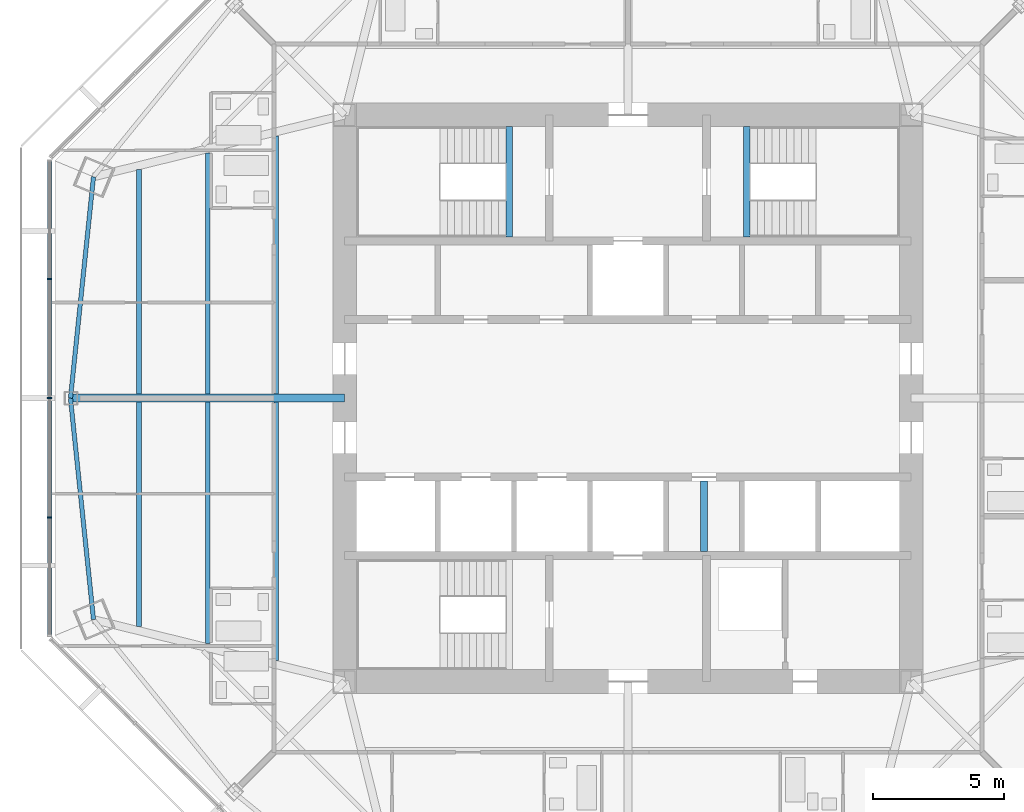
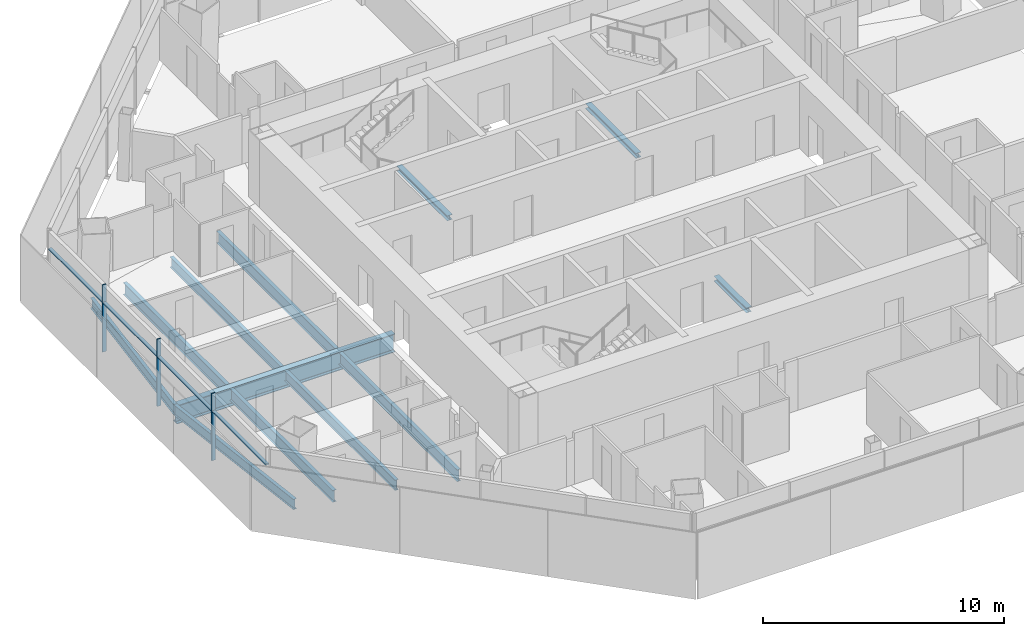
# One storey, part 3 of 15: 12 beams, 7 members, 1 element without a shape of its own.
"""IFC4 building model written with IfcOpenShell, lengths in metres."""

from ifc_helpers import new_model, si_unit, direction, frame, origin, origin_2d, place, context, subcontext, project, spatial, rectangle, i_section, extrude, source, transform, mapped, material, material_profile, profile_set, type_object, type_shapes, element, aggregate, save


model = new_model("IFC4")

# Units and contexts
model_context = context("Model", 3, precision=1e-05, world=origin(), true_north=direction((0.0, 1.0)))
body_context = subcontext(model_context, "Body", "Model", "MODEL_VIEW")
ifc_project = project(units=[si_unit("LENGTHUNIT", "METRE"), si_unit("AREAUNIT", "SQUARE_METRE"), si_unit("VOLUMEUNIT", "CUBIC_METRE"), si_unit("PLANEANGLEUNIT", "RADIAN"), si_unit("MASSUNIT", "GRAM", prefix="KILO")], contexts=[model_context])

# Site, building, storey
site_placement = place(None, origin())
site = spatial("IfcSite", under=ifc_project, at=site_placement, CompositionType="ELEMENT")
building_placement = place(site_placement, origin())
building = spatial("IfcBuilding", under=site, at=building_placement, Name="Mashrafa Tower", CompositionType="ELEMENT")
storey_placement = place(building_placement, frame((0.0, 0.0, 210.800048828125)))
storey = spatial("IfcBuildingStorey", under=building, at=storey_placement, Name="L48", CompositionType="ELEMENT", Elevation=210.800048828125)

# Beams
ifc_material_1 = material(Name="Steel ASTM A992", Category="steel")
ifc_material_profile_1 = material_profile(ifc_material_1, i_section(OverallWidth=0.1650390625, OverallDepth=0.52587890625, WebThickness=0.0087890625, FlangeThickness=0.011474609375, FilletRadius=0.0126953125, at=origin_2d()), Name="W21X44")
ifc_profile_set_1 = profile_set([ifc_material_profile_1], Name="Steel ASTM A992")
beam_type_1 = type_object("IfcBeamType", Name="Beam W21X44", PredefinedType="BEAM", material=ifc_profile_set_1)
for number, where, z_axis, x_axis, name in (
    (1, (-16.028564453125, -9.35546875, -0.462890625), (0.0, 1.0, 0.0), (-1.0, 0.0, 0.0), "Floor beam L48 004"),
    (2, (-16.028564453125, 0.15380859375, -0.462890625), (0.0, 1.0, 0.0), (-1.0, 0.0, 0.0), "Floor beam L48 005"),
):
    element("IfcBeam", number, at=place(storey_placement, frame(where, z_axis=z_axis, x_axis=x_axis)), inside=storey, type_object=beam_type_1, Name=name, PredefinedType="BEAM", context=body_context, shape_type="SweptSolid", body=[
        extrude(i_section(OverallWidth=0.1650390625, OverallDepth=0.52587890625, WebThickness=0.0087890625, FlangeThickness=0.011474609375, FilletRadius=0.0126953125, at=origin_2d()), origin(), (0.0, 0.0, 1.0), 9.20166015625),
    ])
for number, where, z_axis, x_axis, name in (
    (3, (-21.257080078125, 0.0, -0.462890625), (0.103476241115, -0.994631925651, 0.0), (0.994631925651, 0.103476241115, 0.0), "Spandrel beam L48 049"),
    (4, (-20.37890625, 8.441162109375, -0.462890625), (-0.103476241115, -0.994631925651, 0.0), (0.994631925651, -0.103476241115, 0.0), "Spandrel beam L48 051"),
):
    element("IfcBeam", number, at=place(storey_placement, frame(where, z_axis=z_axis, x_axis=x_axis)), inside=storey, type_object=beam_type_1, Name=name, PredefinedType="BEAM", context=body_context, shape_type="SweptSolid", body=[
        extrude(i_section(OverallWidth=0.1650390625, OverallDepth=0.52587890625, WebThickness=0.0087890625, FlangeThickness=0.011474609375, FilletRadius=0.0126953125, at=origin_2d()), origin(), (0.0, 0.0, 1.0), 8.48681640625),
    ])
ifc_material_2 = material(Name="Steel ASTM A992", Category="steel")
ifc_material_profile_2 = material_profile(ifc_material_2, i_section(OverallWidth=0.177978515625, OverallDepth=0.599365234375, WebThickness=0.010009765625, FlangeThickness=0.012939453125, FilletRadius=0.012939453125, at=origin_2d()), Name="W24X55")
ifc_profile_set_2 = profile_set([ifc_material_profile_2], Name="Steel ASTM A992")
beam_type_2 = type_object("IfcBeamType", Name="Beam W24X55", PredefinedType="BEAM", material=ifc_profile_set_2)
for number, where, z_axis, x_axis, name in (
    (5, (-18.642822265625, -8.711669921875, -0.499755859375), (0.0, 1.0, 0.0), (-1.0, 0.0, 0.0), "Floor beam L48 001"),
    (6, (-18.642822265625, 0.15380859375, -0.499755859375), (0.0, 1.0, 0.0), (-1.0, 0.0, 0.0), "Floor beam L48 002"),
):
    element("IfcBeam", number, at=place(storey_placement, frame(where, z_axis=z_axis, x_axis=x_axis)), inside=storey, type_object=beam_type_2, Name=name, PredefinedType="BEAM", context=body_context, shape_type="SweptSolid", body=[
        extrude(i_section(OverallWidth=0.177978515625, OverallDepth=0.599365234375, WebThickness=0.010009765625, FlangeThickness=0.012939453125, FilletRadius=0.012939453125, at=origin_2d()), origin(), (0.0, 0.0, 1.0), 8.557861328125),
    ])
for number, where, z_axis, x_axis, name in (
    (7, (-13.414306640625, -9.999267578125, -0.499755859375), (0.0, 1.0, 0.0), (-1.0, 0.0, 0.0), "Floor beam L48 006"),
    (8, (-13.414306640625, 0.15380859375, -0.499755859375), (0.0, 1.0, 0.0), (-1.0, 0.0, 0.0), "Floor beam L48 007"),
):
    element("IfcBeam", number, at=place(storey_placement, frame(where, z_axis=z_axis, x_axis=x_axis)), inside=storey, type_object=beam_type_2, Name=name, PredefinedType="BEAM", context=body_context, shape_type="SweptSolid", body=[
        extrude(i_section(OverallWidth=0.177978515625, OverallDepth=0.599365234375, WebThickness=0.010009765625, FlangeThickness=0.012939453125, FilletRadius=0.012939453125, at=origin_2d()), origin(), (0.0, 0.0, 1.0), 9.845458984375),
    ])
ifc_material_3 = material(Name="Steel ASTM A992", Category="steel")
ifc_material_profile_3 = material_profile(ifc_material_3, i_section(OverallWidth=0.307373046875, OverallDepth=0.927001953125, WebThickness=0.01953125, FlangeThickness=0.031982421875, FilletRadius=0.01904296875, at=origin_2d()), Name="W36X194")
ifc_profile_set_3 = profile_set([ifc_material_profile_3], Name="Steel ASTM A992")
beam_type_3 = type_object("IfcBeamType", Name="Beam W36X194", PredefinedType="BEAM", material=ifc_profile_set_3)
beam_1_placement = place(storey_placement, frame((-10.800048828125, 0.0, -0.66357421875), z_axis=(-1.0, 0.0, 0.0), x_axis=(0.0, -1.0, 0.0)))
element("IfcBeam", 9, at=beam_1_placement, inside=storey, type_object=beam_type_3, Name="Radial girder L48 036", PredefinedType="BEAM", context=body_context, shape_type="SweptSolid", body=[
    extrude(i_section(OverallWidth=0.307373046875, OverallDepth=0.927001953125, WebThickness=0.01953125, FlangeThickness=0.031982421875, FilletRadius=0.01904296875, at=origin_2d()), origin(), (0.0, 0.0, 1.0), 10.45703125),
])
ifc_material_4 = material(Name="Steel ASTM A992", Category="steel")
ifc_material_profile_4 = material_profile(ifc_material_4, i_section(OverallWidth=0.25390625, OverallDepth=0.25390625, WebThickness=0.008544921875, FlangeThickness=0.01416015625, FilletRadius=0.010009765625, at=origin_2d()), Name="W10X49")
ifc_profile_set_4 = profile_set([ifc_material_profile_4], Name="Steel ASTM A992")
beam_type_4 = type_object("IfcBeamType", Name="Hoistway beam W10X49", PredefinedType="BEAM", material=ifc_profile_set_4)
beam_2_placement = place(storey_placement, frame((2.89990234375, -5.85009765625, -0.3271484375), z_axis=(0.0, 1.0, 0.0), x_axis=(-1.0, 0.0, 0.0)))
element("IfcBeam", 10, at=beam_2_placement, inside=storey, type_object=beam_type_4, Name="Hoistway beam L48 07", PredefinedType="BEAM", context=body_context, shape_type="SweptSolid", body=[
    extrude(i_section(OverallWidth=0.25390625, OverallDepth=0.25390625, WebThickness=0.008544921875, FlangeThickness=0.01416015625, FilletRadius=0.010009765625, at=origin_2d()), origin(), (0.0, 0.0, 1.0), 2.7001953125),
])
for number, where, z_axis, x_axis, name in (
    (11, (-4.530029296875, 6.14990234375, -0.3271484375), (0.0, 1.0, 0.0), (-1.0, 0.0, 0.0), "Stair S1 landing beam L48"),
    (12, (4.530029296875, 6.14990234375, -0.3271484375), (0.0, 1.0, 0.0), (-1.0, 0.0, 0.0), "Stair S2 landing beam L48"),
):
    element("IfcBeam", number, at=place(storey_placement, frame(where, z_axis=z_axis, x_axis=x_axis)), inside=storey, type_object=beam_type_4, Name=name, PredefinedType="BEAM", context=body_context, shape_type="SweptSolid", body=[
        extrude(i_section(OverallWidth=0.25390625, OverallDepth=0.25390625, WebThickness=0.008544921875, FlangeThickness=0.01416015625, FilletRadius=0.010009765625, at=origin_2d()), origin(), (0.0, 0.0, 1.0), 4.2001953125),
    ])

# Curtain wall, members
ifc_material_5 = material(Name="Unitised aluminium curtain wall", Category="aluminium")
curtain_wall_type = type_object("IfcCurtainWallType", Name="Apartment curtain wall, zone 3 CW-C 180 deep", PredefinedType="NOTDEFINED", material=ifc_material_5)
curtain_wall_placement = place(storey_placement, origin())
curtain_wall = element("IfcCurtainWall", 13, at=curtain_wall_placement, inside=storey, type_object=curtain_wall_type, Name="Apartment curtain wall, zone 3 L48 west", PredefinedType="NOTDEFINED")
ifc_material_6 = material(Name="Extruded aluminium mullion", Category="aluminium")
ifc_material_profile_5 = material_profile(ifc_material_6, rectangle(XDim=0.179931640625, YDim=0.06005859375, at=origin_2d()), Name="Mullion 60x180")
ifc_profile_set_5 = profile_set([ifc_material_profile_5], Name="Extruded aluminium mullion")
member_type_1 = type_object("IfcMemberType", Name="Mullion CW-C 60 x 180", PredefinedType="MULLION", material=ifc_profile_set_5)
shared_shape_1 = source(origin(), body_context, "Body", "SweptSolid", [
    extrude(rectangle(XDim=0.179931640625, YDim=0.06005859375, at=origin_2d()), origin(), (0.0, 0.0, 1.0), 3.39990234375),
])
type_shapes(member_type_1, [shared_shape_1])
member_1_placement = place(storey_placement, frame((-22.051513671875, 4.54345703125, 0.0), z_axis=(0.0, 0.0, 1.0), x_axis=(1.0, 0.0, 0.0)))
member_1 = element("IfcMember", 14, at=member_1_placement, type_object=member_type_1, Name="CW-C mullion 2", PredefinedType="MULLION", context=body_context, shape_type="MappedRepresentation", body=[
    mapped(shared_shape_1, transform((0.0, 0.0, 0.0))),
])
member_2_placement = place(storey_placement, frame((-22.051513671875, 0.0, 0.0), z_axis=(0.0, 0.0, 1.0), x_axis=(1.0, 0.0, 0.0)))
member_2 = element("IfcMember", 15, at=member_2_placement, type_object=member_type_1, Name="CW-C mullion 3", PredefinedType="MULLION", context=body_context, shape_type="MappedRepresentation", body=[
    mapped(shared_shape_1, transform((0.0, 0.0, 0.0))),
])
member_3_placement = place(storey_placement, frame((-22.051513671875, -4.54345703125, 0.0), z_axis=(0.0, 0.0, 1.0), x_axis=(1.0, 0.0, 0.0)))
member_3 = element("IfcMember", 16, at=member_3_placement, type_object=member_type_1, Name="CW-C mullion 4", PredefinedType="MULLION", context=body_context, shape_type="MappedRepresentation", body=[
    mapped(shared_shape_1, transform((0.0, 0.0, 0.0))),
])
ifc_material_7 = material(Name="Extruded aluminium transom", Category="aluminium")
ifc_material_profile_6 = material_profile(ifc_material_7, rectangle(XDim=0.14404296875, YDim=0.074951171875, at=origin_2d()), Name="Transom 75x144")
ifc_profile_set_6 = profile_set([ifc_material_profile_6], Name="Extruded aluminium transom")
member_type_2 = type_object("IfcMemberType", Name="Transom CW-C 75 x 144", PredefinedType="MULLION", material=ifc_profile_set_6)
shared_shape_2 = source(origin(), body_context, "Body", "SweptSolid", [
    extrude(rectangle(XDim=0.14404296875, YDim=0.074951171875, at=origin_2d()), origin(), (0.0, 0.0, 1.0), 4.453369140625),
])
member_4_placement = place(storey_placement, frame((-22.051513671875, 9.02685546875, 2.5), z_axis=(0.0, -1.0, 0.0), x_axis=(1.0, 0.0, 0.0)))
member_4 = element("IfcMember", 17, at=member_4_placement, type_object=member_type_2, Name="CW-C transom 1", PredefinedType="MULLION", context=body_context, shape_type="MappedRepresentation", body=[
    mapped(shared_shape_2, transform((0.0, 0.0, 0.0))),
])
member_5_placement = place(storey_placement, frame((-22.051513671875, -4.573486328125, 2.5), z_axis=(0.0, -1.0, 0.0), x_axis=(1.0, 0.0, 0.0)))
member_5 = element("IfcMember", 18, at=member_5_placement, type_object=member_type_2, Name="CW-C transom 4", PredefinedType="MULLION", context=body_context, shape_type="MappedRepresentation", body=[
    mapped(shared_shape_2, transform((0.0, 0.0, 0.0))),
])
shared_shape_3 = source(origin(), body_context, "Body", "SweptSolid", [
    extrude(rectangle(XDim=0.14404296875, YDim=0.074951171875, at=origin_2d()), origin(), (0.0, 0.0, 1.0), 4.4833984375),
])
type_shapes(member_type_2, [shared_shape_2, shared_shape_3])
member_6_placement = place(storey_placement, frame((-22.051513671875, 4.513427734375, 2.5), z_axis=(0.0, -1.0, 0.0), x_axis=(1.0, 0.0, 0.0)))
member_6 = element("IfcMember", 19, at=member_6_placement, type_object=member_type_2, Name="CW-C transom 2", PredefinedType="MULLION", context=body_context, shape_type="MappedRepresentation", body=[
    mapped(shared_shape_3, transform((0.0, 0.0, 0.0))),
])
member_7_placement = place(storey_placement, frame((-22.051513671875, -0.030029296875, 2.5), z_axis=(0.0, -1.0, 0.0), x_axis=(1.0, 0.0, 0.0)))
member_7 = element("IfcMember", 20, at=member_7_placement, type_object=member_type_2, Name="CW-C transom 3", PredefinedType="MULLION", context=body_context, shape_type="MappedRepresentation", body=[
    mapped(shared_shape_3, transform((0.0, 0.0, 0.0))),
])
aggregate(curtain_wall, [member_1, member_2, member_3, member_4, member_6, member_7, member_5])

save(model, "model.ifc")
